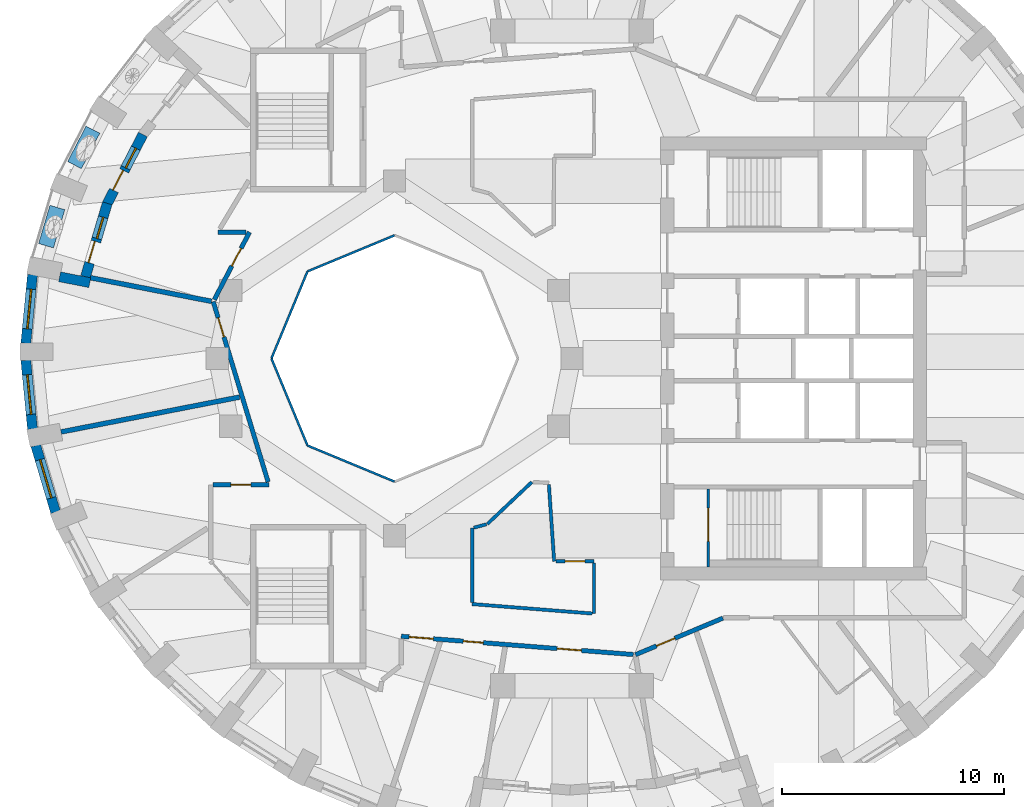
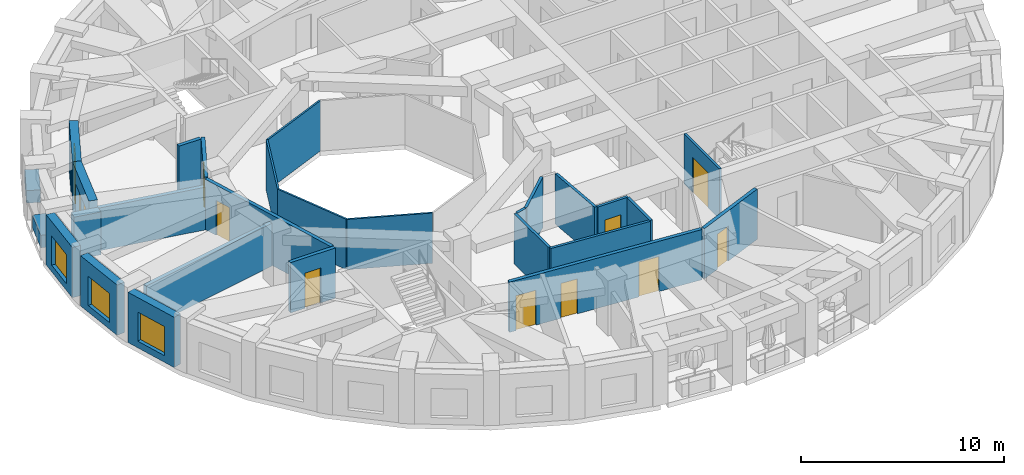
# One storey, part 4 of 12: 28 walls, 11 doors, 5 windows, 16 openings.
"""IFC4 building model written with IfcOpenShell, lengths in metres."""

from ifc_helpers import new_model, si_unit, direction, frame, frame_2d, origin, place, context, subcontext, project, spatial, rectangle, extrude, material, layer, layer_set, constituent, constituent_set, type_object, element, fill, save


model = new_model("IFC4")

# Units and contexts
model_context = context("Model", 3, precision=1e-05, world=origin(), true_north=direction((0.0, 1.0)))
body_context = subcontext(model_context, "Body", "Model", "MODEL_VIEW")
ifc_project = project(units=[si_unit("LENGTHUNIT", "METRE"), si_unit("AREAUNIT", "SQUARE_METRE"), si_unit("VOLUMEUNIT", "CUBIC_METRE"), si_unit("PLANEANGLEUNIT", "RADIAN"), si_unit("MASSUNIT", "GRAM", prefix="KILO")], contexts=[model_context])

# Site, building, storey
site_placement = place(None, origin())
site = spatial("IfcSite", under=ifc_project, at=site_placement, CompositionType="ELEMENT")
building_placement = place(site_placement, origin())
building = spatial("IfcBuilding", under=site, at=building_placement, Name="Taillehof Tower", CompositionType="ELEMENT")
storey_placement = place(building_placement, frame((0.0, 0.0, 249.800048828125)))
storey = spatial("IfcBuildingStorey", under=building, at=storey_placement, Name="L71", CompositionType="ELEMENT", Elevation=249.800048828125)

# Walls
ifc_material_1 = material(Name="Fire-resisting glass in steel frame", Category="steel")
ifc_layer_1 = layer(ifc_material_1, 0.10009765625)
ifc_layer_set_1 = layer_set([ifc_layer_1], Name="Atrium fire-resisting screen EI 60 100")
wall_type_1 = type_object("IfcWallType", Name="Atrium fire-resisting screen EI 60 100", PredefinedType="PARTITIONING", material=ifc_layer_set_1)
for number, where, z_axis, x_axis, name in (
    (1, (-8.0, -5.55419921875, 0.0), (0.0, 0.0, 1.0), (-0.923860025149, 0.382730523909, 0.0), "Atrium screen"),
    (2, (-11.92724609375, -3.92724609375, 0.0), (0.0, 0.0, 1.0), (-0.382730523909, 0.923860025149, 0.0), "Atrium screen"),
    (3, (-13.55419921875, 0.0, 0.0), (0.0, 0.0, 1.0), (0.382730523909, 0.923860025149, 0.0), "Atrium screen"),
    (4, (-11.92724609375, 3.92724609375, 0.0), (0.0, 0.0, 1.0), (0.923860025149, 0.382730523909, 0.0), "Atrium screen"),
):
    element("IfcWall", number, at=place(storey_placement, frame(where, z_axis=z_axis, x_axis=x_axis)), inside=storey, type_object=wall_type_1, Name=name, PredefinedType="PARTITIONING", context=body_context, shape_type="SweptSolid", body=[
        extrude(rectangle(XDim=4.2509765625, YDim=0.10009765625, at=frame_2d((2.12548828125, 0.0))), origin(), (0.0, 0.0, 1.0), 3.02001953125),
    ])

# Wall, opening, window
ifc_material_2 = material(Name="Brick masonry", Category="masonry")
ifc_layer_2 = layer(ifc_material_2, 0.449951171875)
ifc_layer_set_2 = layer_set([ifc_layer_2], Name="Brick infill wall 450")
wall_type_2 = type_object("IfcWallType", Name="Brick infill wall 450", PredefinedType="SOLIDWALL", material=ifc_layer_set_2)
wall_1_placement = place(storey_placement, frame((-24.335693359375, 3.77978515625, 0.0), z_axis=(0.0, 0.0, 1.0), x_axis=(-0.096740086873, -0.995309678237, 0.0)))
wall_1 = element("IfcWall", 5, at=wall_1_placement, inside=storey, type_object=wall_type_2, Name="Brick wall L71 bay 18", PredefinedType="SOLIDWALL", context=body_context, shape_type="SweptSolid", body=[
    extrude(rectangle(XDim=3.1142578125, YDim=0.449951171875, at=frame_2d((1.55712890625, 0.0))), origin(), (0.0, 0.0, 1.0), 3.02001953125),
])
opening_1_placement = place(wall_1_placement, frame((0.6572265625, 0.0, 0.39990234375)))
opening_1 = element("IfcOpeningElement", 6, at=opening_1_placement, cuts=wall_1, Name="Opening W4", PredefinedType="OPENING", context=body_context, shape_type="SweptSolid", body=[
    extrude(rectangle(XDim=1.800048828125, YDim=1.75, at=frame_2d((0.89990234375, 0.875))), frame((0.0, 0.23486328125, 0.0), z_axis=(0.0, -1.0, 0.0), x_axis=(1.0, 0.0, 0.0)), (0.0, 0.0, 1.0), 0.469970703125),
])
ifc_material_3 = material(Name="Aluminium window frame with clear double glazing", Category="aluminium")
window_type_1 = type_object("IfcWindowType", Name="Deep-set window 1800x1750", PartitioningType="SINGLE_PANEL", PredefinedType="WINDOW", material=ifc_material_3)
window_1_placement = place(opening_1_placement, origin())
window_1 = element("IfcWindow", 7, at=window_1_placement, inside=storey, type_object=window_type_1, Name="W4", OverallHeight=1.75, OverallWidth=1.800048828125, PartitioningType="SINGLE_PANEL", PredefinedType="WINDOW", context=body_context, shape_type="SweptSolid", body=[
    extrude(rectangle(XDim=1.800048828125, YDim=1.75, at=frame_2d((0.89990234375, 0.875))), frame((0.0, 0.034912109375, 0.0), z_axis=(0.0, -1.0, 0.0), x_axis=(1.0, 0.0, 0.0)), (0.0, 0.0, 1.0), 0.06005859375),
])
fill(opening_1, window_1)

wall_2_placement = place(storey_placement, frame((-24.636962890625, -0.080078125, 0.0), z_axis=(0.0, 0.0, 1.0), x_axis=(0.09673253904, -0.995310411827, 0.0)))
wall_2 = element("IfcWall", 8, at=wall_2_placement, inside=storey, type_object=wall_type_2, Name="Brick wall L71 bay 19", PredefinedType="SOLIDWALL", context=body_context, shape_type="SweptSolid", body=[
    extrude(rectangle(XDim=3.114501953125, YDim=0.449951171875, at=frame_2d((1.55712890625, 0.0))), origin(), (0.0, 0.0, 1.0), 3.02001953125),
])
opening_2_placement = place(wall_2_placement, frame((0.6572265625, 0.0, 0.39990234375)))
opening_2 = element("IfcOpeningElement", 9, at=opening_2_placement, cuts=wall_2, Name="Opening W4", PredefinedType="OPENING", context=body_context, shape_type="SweptSolid", body=[
    extrude(rectangle(XDim=1.800048828125, YDim=1.75, at=frame_2d((0.89990234375, 0.875))), frame((0.0, 0.23486328125, 0.0), z_axis=(0.0, -1.0, 0.0), x_axis=(1.0, 0.0, 0.0)), (0.0, 0.0, 1.0), 0.469970703125),
])
window_2_placement = place(opening_2_placement, origin())
window_2 = element("IfcWindow", 10, at=window_2_placement, inside=storey, type_object=window_type_1, Name="W4", OverallHeight=1.75, OverallWidth=1.800048828125, PartitioningType="SINGLE_PANEL", PredefinedType="WINDOW", context=body_context, shape_type="SweptSolid", body=[
    extrude(rectangle(XDim=1.800048828125, YDim=1.75, at=frame_2d((0.89990234375, 0.875))), frame((0.0, 0.034912109375, 0.0), z_axis=(0.0, -1.0, 0.0), x_axis=(1.0, 0.0, 0.0)), (0.0, 0.0, 1.0), 0.06005859375),
])
fill(opening_2, window_2)

wall_3_placement = place(storey_placement, frame((-24.18994140625, -3.92578125, 0.0), z_axis=(0.0, 0.0, 1.0), x_axis=(0.285263800865, -0.958449040855, 0.0)))
wall_3 = element("IfcWall", 11, at=wall_3_placement, inside=storey, type_object=wall_type_2, Name="Brick wall L71 bay 20", PredefinedType="SOLIDWALL", context=body_context, shape_type="SweptSolid", body=[
    extrude(rectangle(XDim=3.13916015625, YDim=0.449951171875, at=frame_2d((1.569580078125, 0.0))), origin(), (0.0, 0.0, 1.0), 3.02001953125),
])
opening_3_placement = place(wall_3_placement, frame((0.669677734375, 0.0, 0.39990234375)))
opening_3 = element("IfcOpeningElement", 12, at=opening_3_placement, cuts=wall_3, Name="Opening W4", PredefinedType="OPENING", context=body_context, shape_type="SweptSolid", body=[
    extrude(rectangle(XDim=1.800048828125, YDim=1.75, at=frame_2d((0.89990234375, 0.875))), frame((0.0, 0.23486328125, 0.0), z_axis=(0.0, -1.0, 0.0), x_axis=(1.0, 0.0, 0.0)), (0.0, 0.0, 1.0), 0.469970703125),
])
window_3_placement = place(opening_3_placement, origin())
window_3 = element("IfcWindow", 13, at=window_3_placement, inside=storey, type_object=window_type_1, Name="W4", OverallHeight=1.75, OverallWidth=1.800048828125, PartitioningType="SINGLE_PANEL", PredefinedType="WINDOW", context=body_context, shape_type="SweptSolid", body=[
    extrude(rectangle(XDim=1.800048828125, YDim=1.75, at=frame_2d((0.89990234375, 0.875))), frame((0.0, 0.034912109375, 0.0), z_axis=(0.0, -1.0, 0.0), x_axis=(1.0, 0.0, 0.0)), (0.0, 0.0, 1.0), 0.06005859375),
])
fill(opening_3, window_3)

# Wall
wall_4_placement = place(storey_placement, frame((-23.11376953125, 3.685302734375, 0.0), z_axis=(0.0, 0.0, 1.0), x_axis=(0.981468844755, -0.191621780535, 0.0)))
element("IfcWall", 14, at=wall_4_placement, inside=storey, type_object=wall_type_2, Name="Brick reveal L71 pocket 4", PredefinedType="SOLIDWALL", context=body_context, shape_type="SweptSolid", body=[
    extrude(rectangle(XDim=1.39013671875, YDim=0.449951171875, at=frame_2d((0.695068359375, 0.0))), origin(), (0.0, 0.0, 1.0), 2.570068359375),
])

# Wall, openings, door, window
wall_5_placement = place(storey_placement, frame((-19.355224609375, 10.104248046875, 0.0), z_axis=(0.0, 0.0, 1.0), x_axis=(-0.458852093952, -0.888512665006, 0.0)))
wall_5 = element("IfcWall", 15, at=wall_5_placement, inside=storey, type_object=wall_type_2, Name="Brick wall L71 pocket bay 16", PredefinedType="SOLIDWALL", context=body_context, shape_type="SweptSolid", body=[
    extrude(rectangle(XDim=3.537841796875, YDim=0.449951171875, at=frame_2d((1.76904296875, 0.0))), origin(), (0.0, 0.0, 1.0), 3.02001953125),
])
opening_4_placement = place(wall_5_placement, frame((0.69384765625, 0.0, 0.39990234375)))
opening_4 = element("IfcOpeningElement", 16, at=opening_4_placement, cuts=wall_5, Name="Opening W5", PredefinedType="OPENING", context=body_context, shape_type="SweptSolid", body=[
    extrude(rectangle(XDim=1.0, YDim=1.75, at=frame_2d((0.5, 0.875))), frame((0.0, 0.23486328125, 0.0), z_axis=(0.0, -1.0, 0.0), x_axis=(1.0, 0.0, 0.0)), (0.0, 0.0, 1.0), 0.469970703125),
])
opening_5_placement = place(wall_5_placement, frame((1.84375, 0.0, 0.0)))
opening_5 = element("IfcOpeningElement", 17, at=opening_5_placement, cuts=wall_5, Name="Opening D7195", PredefinedType="OPENING", context=body_context, shape_type="SweptSolid", body=[
    extrude(rectangle(XDim=1.0, YDim=2.14990234375, at=frame_2d((0.5, 1.074951171875))), frame((0.0, 0.23486328125, 0.0), z_axis=(0.0, -1.0, 0.0), x_axis=(1.0, 0.0, 0.0)), (0.0, 0.0, 1.0), 0.469970703125),
])
ifc_material_4 = material(Name="Aluminium door frame with clear double glazing", Category="aluminium")
door_type_1 = type_object("IfcDoorType", Name="Balcony door 1000x2150", OperationType="SINGLE_SWING_RIGHT", PredefinedType="DOOR", material=ifc_material_4)
door_1_placement = place(opening_5_placement, frame((1.0, 0.0, 0.0), z_axis=(0.0, 0.0, 1.0), x_axis=(-1.0, 0.0, 0.0)))
door_1 = element("IfcDoor", 18, at=door_1_placement, inside=storey, type_object=door_type_1, Name="Balcony door L71 bay 16", OperationType="SINGLE_SWING_LEFT", OverallHeight=2.14990234375, OverallWidth=1.0, PredefinedType="DOOR", context=body_context, shape_type="SweptSolid", body=[
    extrude(rectangle(XDim=1.0, YDim=2.14990234375, at=frame_2d((0.5, 1.074951171875))), frame((0.0, 0.0751953125, 0.0), z_axis=(0.0, -1.0, 0.0), x_axis=(1.0, 0.0, 0.0)), (0.0, 0.0, 1.0), 0.050048828125),
])
fill(opening_5, door_1)
ifc_material_5 = material(Name="Aluminium window frame with clear double glazing", Category="aluminium")
window_type_2 = type_object("IfcWindowType", Name="Fixed window 1000x1750", PartitioningType="SINGLE_PANEL", PredefinedType="WINDOW", material=ifc_material_5)
window_4_placement = place(opening_4_placement, origin())
window_4 = element("IfcWindow", 19, at=window_4_placement, inside=storey, type_object=window_type_2, Name="W5", OverallHeight=1.75, OverallWidth=1.0, PartitioningType="SINGLE_PANEL", PredefinedType="WINDOW", context=body_context, shape_type="SweptSolid", body=[
    extrude(rectangle(XDim=1.0, YDim=1.75, at=frame_2d((0.5, 0.875))), frame((0.0, 0.034912109375, 0.0), z_axis=(0.0, -1.0, 0.0), x_axis=(1.0, 0.0, 0.0)), (0.0, 0.0, 1.0), 0.06005859375),
])
fill(opening_4, window_4)

wall_6_placement = place(storey_placement, frame((-20.962646484375, 7.000244140625, 0.0), z_axis=(0.0, 0.0, 1.0), x_axis=(-0.284437019833, -0.958694728132, 0.0)))
wall_6 = element("IfcWall", 20, at=wall_6_placement, inside=storey, type_object=wall_type_2, Name="Brick wall L71 pocket bay 17", PredefinedType="SOLIDWALL", context=body_context, shape_type="SweptSolid", body=[
    extrude(rectangle(XDim=3.45654296875, YDim=0.449951171875, at=frame_2d((1.728271484375, 0.0))), origin(), (0.0, 0.0, 1.0), 3.02001953125),
])
opening_6_placement = place(wall_6_placement, frame((0.6533203125, 0.0, 0.39990234375)))
opening_6 = element("IfcOpeningElement", 21, at=opening_6_placement, cuts=wall_6, Name="Opening W5", PredefinedType="OPENING", context=body_context, shape_type="SweptSolid", body=[
    extrude(rectangle(XDim=1.0, YDim=1.75, at=frame_2d((0.5, 0.875))), frame((0.0, 0.23486328125, 0.0), z_axis=(0.0, -1.0, 0.0), x_axis=(1.0, 0.0, 0.0)), (0.0, 0.0, 1.0), 0.469970703125),
])
opening_7_placement = place(wall_6_placement, frame((1.80322265625, 0.0, 0.0)))
opening_7 = element("IfcOpeningElement", 22, at=opening_7_placement, cuts=wall_6, Name="Opening D7196", PredefinedType="OPENING", context=body_context, shape_type="SweptSolid", body=[
    extrude(rectangle(XDim=1.0, YDim=2.14990234375, at=frame_2d((0.5, 1.074951171875))), frame((0.0, 0.23486328125, 0.0), z_axis=(0.0, -1.0, 0.0), x_axis=(1.0, 0.0, 0.0)), (0.0, 0.0, 1.0), 0.469970703125),
])
door_2_placement = place(opening_7_placement, frame((1.0, 0.0, 0.0), z_axis=(0.0, 0.0, 1.0), x_axis=(-1.0, 0.0, 0.0)))
door_2 = element("IfcDoor", 23, at=door_2_placement, inside=storey, type_object=door_type_1, Name="Balcony door L71 bay 17", OperationType="SINGLE_SWING_LEFT", OverallHeight=2.14990234375, OverallWidth=1.0, PredefinedType="DOOR", context=body_context, shape_type="SweptSolid", body=[
    extrude(rectangle(XDim=1.0, YDim=2.14990234375, at=frame_2d((0.5, 1.074951171875))), frame((0.0, 0.0751953125, 0.0), z_axis=(0.0, -1.0, 0.0), x_axis=(1.0, 0.0, 0.0)), (0.0, 0.0, 1.0), 0.050048828125),
])
fill(opening_7, door_2)
window_5_placement = place(opening_6_placement, origin())
window_5 = element("IfcWindow", 24, at=window_5_placement, inside=storey, type_object=window_type_2, Name="W5", OverallHeight=1.75, OverallWidth=1.0, PartitioningType="SINGLE_PANEL", PredefinedType="WINDOW", context=body_context, shape_type="SweptSolid", body=[
    extrude(rectangle(XDim=1.0, YDim=1.75, at=frame_2d((0.5, 0.875))), frame((0.0, 0.034912109375, 0.0), z_axis=(0.0, -1.0, 0.0), x_axis=(1.0, 0.0, 0.0)), (0.0, 0.0, 1.0), 0.06005859375),
])
fill(opening_6, window_5)

# Wall, opening, door
ifc_material_6 = material(Name="Gypsum board on steel studs, two layers each side", Category="steel")
ifc_layer_3 = layer(ifc_material_6, 0.199951171875)
ifc_layer_set_3 = layer_set([ifc_layer_3], Name="Compartment wall corridor 200")
wall_type_3 = type_object("IfcWallType", Name="Compartment wall corridor 200", PredefinedType="PARTITIONING", material=ifc_layer_set_3)
wall_7_placement = place(storey_placement, frame((6.811767578125, -11.715576171875, 0.0), z_axis=(0.0, 0.0, 1.0), x_axis=(-0.922465594323, -0.386079301817, 0.0)))
wall_7 = element("IfcWall", 25, at=wall_7_placement, inside=storey, type_object=wall_type_3, Name="Compartment wall", PredefinedType="PARTITIONING", context=body_context, shape_type="SweptSolid", body=[
    extrude(rectangle(XDim=4.2734375, YDim=0.199951171875, at=frame_2d((2.13671875, 0.0))), origin(), (0.0, 0.0, 1.0), 3.02001953125),
])
opening_8_placement = place(wall_7_placement, frame((2.3486328125, 0.0, 0.0)))
opening_8 = element("IfcOpeningElement", 26, at=opening_8_placement, cuts=wall_7, Name="Opening D7153", PredefinedType="OPENING", context=body_context, shape_type="SweptSolid", body=[
    extrude(rectangle(XDim=0.89990234375, YDim=2.10009765625, at=frame_2d((0.449951171875, 1.050048828125))), frame((0.0, 0.10986328125, 0.0), z_axis=(0.0, -1.0, 0.0), x_axis=(1.0, 0.0, 0.0)), (0.0, 0.0, 1.0), 0.219970703125),
])
ifc_material_7 = material(Name="Timber door leaf in steel frame", Category="steel")
door_type_2 = type_object("IfcDoorType", Name="Service room door EI 30 900 x 2100", OperationType="SINGLE_SWING_LEFT", PredefinedType="DOOR", material=ifc_material_7)
door_3_placement = place(opening_8_placement, origin())
door_3 = element("IfcDoor", 27, at=door_3_placement, inside=storey, type_object=door_type_2, Name="D7153", OperationType="SINGLE_SWING_RIGHT", OverallHeight=2.10009765625, OverallWidth=0.89990234375, PredefinedType="DOOR", context=body_context, shape_type="SweptSolid", body=[
    extrude(rectangle(XDim=0.89990234375, YDim=2.10009765625, at=frame_2d((0.449951171875, 1.050048828125))), frame((0.0, 0.02490234375, 0.0), z_axis=(0.0, -1.0, 0.0), x_axis=(1.0, 0.0, 0.0)), (0.0, 0.0, 1.0), 0.050048828125),
])
fill(opening_8, door_3)

# Wall, openings, doors
wall_8_placement = place(storey_placement, frame((2.76953125, -13.358154296875, 0.0), z_axis=(0.0, 0.0, 1.0), x_axis=(-0.996922723337, 0.07839058422, 0.0)))
wall_8 = element("IfcWall", 28, at=wall_8_placement, inside=storey, type_object=wall_type_3, Name="Compartment wall", PredefinedType="PARTITIONING", context=body_context, shape_type="SweptSolid", body=[
    extrude(rectangle(XDim=10.501708984375, YDim=0.199951171875, at=frame_2d((5.2509765625, 0.0))), origin(), (0.0, 0.0, 1.0), 3.02001953125),
])
opening_9_placement = place(wall_8_placement, frame((9.045654296875, 0.0, 0.0)))
opening_9 = element("IfcOpeningElement", 29, at=opening_9_placement, cuts=wall_8, Name="Opening D7150", PredefinedType="OPENING", context=body_context, shape_type="SweptSolid", body=[
    extrude(rectangle(XDim=1.10009765625, YDim=2.10009765625, at=frame_2d((0.550048828125, 1.050048828125))), frame((0.0, 0.10986328125, 0.0), z_axis=(0.0, -1.0, 0.0), x_axis=(1.0, 0.0, 0.0)), (0.0, 0.0, 1.0), 0.219970703125),
])
opening_10_placement = place(wall_8_placement, frame((6.791748046875, 0.0, 0.0)))
opening_10 = element("IfcOpeningElement", 30, at=opening_10_placement, cuts=wall_8, Name="Opening D7151", PredefinedType="OPENING", context=body_context, shape_type="SweptSolid", body=[
    extrude(rectangle(XDim=0.89990234375, YDim=2.10009765625, at=frame_2d((0.449951171875, 1.050048828125))), frame((0.0, 0.10986328125, 0.0), z_axis=(0.0, -1.0, 0.0), x_axis=(1.0, 0.0, 0.0)), (0.0, 0.0, 1.0), 0.219970703125),
])
opening_11_placement = place(wall_8_placement, frame((2.3466796875, 0.0, 0.0)))
opening_11 = element("IfcOpeningElement", 31, at=opening_11_placement, cuts=wall_8, Name="Opening D7152", PredefinedType="OPENING", context=body_context, shape_type="SweptSolid", body=[
    extrude(rectangle(XDim=1.10009765625, YDim=2.10009765625, at=frame_2d((0.550048828125, 1.050048828125))), frame((0.0, 0.10986328125, 0.0), z_axis=(0.0, -1.0, 0.0), x_axis=(1.0, 0.0, 0.0)), (0.0, 0.0, 1.0), 0.219970703125),
])
door_4_placement = place(opening_10_placement, origin())
door_4 = element("IfcDoor", 32, at=door_4_placement, inside=storey, type_object=door_type_2, Name="D7151", OperationType="SINGLE_SWING_RIGHT", OverallHeight=2.10009765625, OverallWidth=0.89990234375, PredefinedType="DOOR", context=body_context, shape_type="SweptSolid", body=[
    extrude(rectangle(XDim=0.89990234375, YDim=2.10009765625, at=frame_2d((0.449951171875, 1.050048828125))), frame((0.0, 0.02490234375, 0.0), z_axis=(0.0, -1.0, 0.0), x_axis=(1.0, 0.0, 0.0)), (0.0, 0.0, 1.0), 0.050048828125),
])
fill(opening_10, door_4)
ifc_material_8 = material(Name="Timber door leaf in steel frame", Category="steel")
door_type_3 = type_object("IfcDoorType", Name="Suite entrance door EI 30 1100 x 2100", OperationType="SINGLE_SWING_LEFT", PredefinedType="DOOR", material=ifc_material_8)
door_5_placement = place(opening_9_placement, origin())
door_5 = element("IfcDoor", 33, at=door_5_placement, inside=storey, type_object=door_type_3, Name="D7150", OperationType="SINGLE_SWING_LEFT", OverallHeight=2.10009765625, OverallWidth=1.10009765625, PredefinedType="DOOR", context=body_context, shape_type="SweptSolid", body=[
    extrude(rectangle(XDim=1.10009765625, YDim=2.10009765625, at=frame_2d((0.550048828125, 1.050048828125))), frame((0.0, 0.02490234375, 0.0), z_axis=(0.0, -1.0, 0.0), x_axis=(1.0, 0.0, 0.0)), (0.0, 0.0, 1.0), 0.050048828125),
])
fill(opening_9, door_5)
door_6_placement = place(opening_11_placement, origin())
door_6 = element("IfcDoor", 34, at=door_6_placement, inside=storey, type_object=door_type_3, Name="D7152", OperationType="SINGLE_SWING_RIGHT", OverallHeight=2.10009765625, OverallWidth=1.10009765625, PredefinedType="DOOR", context=body_context, shape_type="SweptSolid", body=[
    extrude(rectangle(XDim=1.10009765625, YDim=2.10009765625, at=frame_2d((0.550048828125, 1.050048828125))), frame((0.0, 0.02490234375, 0.0), z_axis=(0.0, -1.0, 0.0), x_axis=(1.0, 0.0, 0.0)), (0.0, 0.0, 1.0), 0.050048828125),
])
fill(opening_11, door_6)

# Wall, opening, door
wall_9_placement = place(storey_placement, frame((-16.199951171875, -5.699951171875, 0.0), z_axis=(0.0, 0.0, 1.0), x_axis=(1.0, 0.0, 0.0)))
wall_9 = element("IfcWall", 35, at=wall_9_placement, inside=storey, type_object=wall_type_3, Name="Compartment wall", PredefinedType="PARTITIONING", context=body_context, shape_type="SweptSolid", body=[
    extrude(rectangle(XDim=2.533935546875, YDim=0.199951171875, at=frame_2d((1.26708984375, 0.0))), origin(), (0.0, 0.0, 1.0), 3.02001953125),
])
opening_12_placement = place(wall_9_placement, frame((0.81689453125, 0.0, 0.0)))
opening_12 = element("IfcOpeningElement", 36, at=opening_12_placement, cuts=wall_9, Name="Opening D7148", PredefinedType="OPENING", context=body_context, shape_type="SweptSolid", body=[
    extrude(rectangle(XDim=0.89990234375, YDim=2.10009765625, at=frame_2d((0.449951171875, 1.050048828125))), frame((0.0, 0.10986328125, 0.0), z_axis=(0.0, -1.0, 0.0), x_axis=(1.0, 0.0, 0.0)), (0.0, 0.0, 1.0), 0.219970703125),
])
door_7_placement = place(opening_12_placement, origin())
door_7 = element("IfcDoor", 37, at=door_7_placement, inside=storey, type_object=door_type_2, Name="D7148", OperationType="SINGLE_SWING_RIGHT", OverallHeight=2.10009765625, OverallWidth=0.89990234375, PredefinedType="DOOR", context=body_context, shape_type="SweptSolid", body=[
    extrude(rectangle(XDim=0.89990234375, YDim=2.10009765625, at=frame_2d((0.449951171875, 1.050048828125))), frame((0.0, 0.02490234375, 0.0), z_axis=(0.0, -1.0, 0.0), x_axis=(1.0, 0.0, 0.0)), (0.0, 0.0, 1.0), 0.050048828125),
])
fill(opening_12, door_7)

wall_10_placement = place(storey_placement, frame((-13.70703125, -5.566650390625, 0.0), z_axis=(0.0, 0.0, 1.0), x_axis=(-0.29116047228, 0.956674228451, 0.0)))
wall_10 = element("IfcWall", 38, at=wall_10_placement, inside=storey, type_object=wall_type_3, Name="Compartment wall", PredefinedType="PARTITIONING", context=body_context, shape_type="SweptSolid", body=[
    extrude(rectangle(XDim=8.495849609375, YDim=0.199951171875, at=frame_2d((4.248046875, 0.0))), origin(), (0.0, 0.0, 1.0), 3.02001953125),
])
opening_13_placement = place(wall_10_placement, frame((6.8359375, 0.0, 0.0)))
opening_13 = element("IfcOpeningElement", 39, at=opening_13_placement, cuts=wall_10, Name="Opening D7147", PredefinedType="OPENING", context=body_context, shape_type="SweptSolid", body=[
    extrude(rectangle(XDim=0.89990234375, YDim=2.10009765625, at=frame_2d((0.449951171875, 1.050048828125))), frame((0.0, 0.10986328125, 0.0), z_axis=(0.0, -1.0, 0.0), x_axis=(1.0, 0.0, 0.0)), (0.0, 0.0, 1.0), 0.219970703125),
])
door_8_placement = place(opening_13_placement, origin())
door_8 = element("IfcDoor", 40, at=door_8_placement, inside=storey, type_object=door_type_2, Name="D7147", OperationType="SINGLE_SWING_RIGHT", OverallHeight=2.10009765625, OverallWidth=0.89990234375, PredefinedType="DOOR", context=body_context, shape_type="SweptSolid", body=[
    extrude(rectangle(XDim=0.89990234375, YDim=2.10009765625, at=frame_2d((0.449951171875, 1.050048828125))), frame((0.0, 0.02490234375, 0.0), z_axis=(0.0, -1.0, 0.0), x_axis=(1.0, 0.0, 0.0)), (0.0, 0.0, 1.0), 0.050048828125),
])
fill(opening_13, door_8)

wall_11_placement = place(storey_placement, frame((-16.13427734375, 2.650146484375, 0.0), z_axis=(0.0, 0.0, 1.0), x_axis=(0.462143812638, 0.886804993468, 0.0)))
wall_11 = element("IfcWall", 41, at=wall_11_placement, inside=storey, type_object=wall_type_3, Name="Compartment wall", PredefinedType="PARTITIONING", context=body_context, shape_type="SweptSolid", body=[
    extrude(rectangle(XDim=3.439208984375, YDim=0.199951171875, at=frame_2d((1.7197265625, 0.0))), origin(), (0.0, 0.0, 1.0), 3.02001953125),
])
opening_14_placement = place(wall_11_placement, frame((1.7158203125, 0.0, 0.0)))
opening_14 = element("IfcOpeningElement", 42, at=opening_14_placement, cuts=wall_11, Name="Opening D7146", PredefinedType="OPENING", context=body_context, shape_type="SweptSolid", body=[
    extrude(rectangle(XDim=0.89990234375, YDim=2.10009765625, at=frame_2d((0.449951171875, 1.050048828125))), frame((0.0, 0.10986328125, 0.0), z_axis=(0.0, -1.0, 0.0), x_axis=(1.0, 0.0, 0.0)), (0.0, 0.0, 1.0), 0.219970703125),
])
door_9_placement = place(opening_14_placement, origin())
door_9 = element("IfcDoor", 43, at=door_9_placement, inside=storey, type_object=door_type_2, Name="D7146", OperationType="SINGLE_SWING_RIGHT", OverallHeight=2.10009765625, OverallWidth=0.89990234375, PredefinedType="DOOR", context=body_context, shape_type="SweptSolid", body=[
    extrude(rectangle(XDim=0.89990234375, YDim=2.10009765625, at=frame_2d((0.449951171875, 1.050048828125))), frame((0.0, 0.02490234375, 0.0), z_axis=(0.0, -1.0, 0.0), x_axis=(1.0, 0.0, 0.0)), (0.0, 0.0, 1.0), 0.050048828125),
])
fill(opening_14, door_9)

# Walls
wall_12_placement = place(storey_placement, frame((-14.705078125, 5.699951171875, 0.0), z_axis=(0.0, 0.0, 1.0), x_axis=(-1.0, 0.0, 0.0)))
element("IfcWall", 44, at=wall_12_placement, inside=storey, type_object=wall_type_3, Name="Compartment wall", PredefinedType="PARTITIONING", context=body_context, shape_type="SweptSolid", body=[
    extrude(rectangle(XDim=1.26904296875, YDim=0.199951171875, at=frame_2d((0.634521484375, 0.0))), origin(), (0.0, 0.0, 1.0), 3.02001953125),
])
ifc_material_9 = material(Name="Gypsum board on double steel studs with mineral wool", Category="steel")
ifc_layer_4 = layer(ifc_material_9, 0.219970703125)
ifc_layer_set_4 = layer_set([ifc_layer_4], Name="Compartment wall guest room 220")
wall_type_4 = type_object("IfcWallType", Name="Compartment wall guest room 220", PredefinedType="PARTITIONING", material=ifc_layer_set_4)
wall_13_placement = place(storey_placement, frame((-21.72412109375, 3.643310546875, 0.0), z_axis=(0.0, 0.0, 1.0), x_axis=(0.981482350032, -0.191552594804, 0.0)))
element("IfcWall", 45, at=wall_13_placement, inside=storey, type_object=wall_type_4, Name="Compartment wall", PredefinedType="PARTITIONING", context=body_context, shape_type="SweptSolid", body=[
    extrude(rectangle(XDim=5.568359375, YDim=0.219970703125, at=frame_2d((2.7841796875, 0.0))), origin(), (0.0, 0.0, 1.0), 2.570068359375),
])
wall_14_placement = place(storey_placement, frame((-23.048583984375, -3.315673828125, 0.0), z_axis=(0.0, 0.0, 1.0), x_axis=(0.981479950205, 0.19156489069, 0.0)))
element("IfcWall", 46, at=wall_14_placement, inside=storey, type_object=wall_type_4, Name="Compartment wall", PredefinedType="PARTITIONING", context=body_context, shape_type="SweptSolid", body=[
    extrude(rectangle(XDim=8.204833984375, YDim=0.219970703125, at=frame_2d((4.1025390625, 0.0))), origin(), (0.0, 0.0, 1.0), 2.570068359375),
])
ifc_material_10 = material(Name="Gypsum board on steel studs, two layers each side", Category="steel")
ifc_layer_5 = layer(ifc_material_10, 0.14990234375)
ifc_layer_set_5 = layer_set([ifc_layer_5], Name="Compartment wall service room 150")
wall_type_5 = type_object("IfcWallType", Name="Compartment wall service room 150", PredefinedType="PARTITIONING", material=ifc_layer_set_5)
wall_15_placement = place(storey_placement, frame((-3.817138671875, -7.471923828125, 0.0), z_axis=(0.0, 0.0, 1.0), x_axis=(0.727554143834, 0.686050266227, 0.0)))
element("IfcWall", 47, at=wall_15_placement, inside=storey, type_object=wall_type_5, Name="Compartment wall", PredefinedType="PARTITIONING", context=body_context, shape_type="SweptSolid", body=[
    extrude(rectangle(XDim=2.7646484375, YDim=0.14990234375, at=frame_2d((1.38232421875, 0.0))), origin(), (0.0, 0.0, 1.0), 3.02001953125),
])
wall_16_placement = place(storey_placement, frame((-1.0380859375, -5.692626953125, 0.0), z_axis=(0.0, 0.0, 1.0), x_axis=(0.068688454557, -0.997638158959, 0.0)))
element("IfcWall", 48, at=wall_16_placement, inside=storey, type_object=wall_type_5, Name="Compartment wall", PredefinedType="PARTITIONING", context=body_context, shape_type="SweptSolid", body=[
    extrude(rectangle(XDim=3.465576171875, YDim=0.14990234375, at=frame_2d((1.73291015625, 0.0))), origin(), (0.0, 0.0, 1.0), 3.02001953125),
])

# Wall, opening, door
wall_17_placement = place(storey_placement, frame((-0.719970703125, -9.14990234375, 0.0), z_axis=(0.0, 0.0, 1.0), x_axis=(1.0, 0.0, 0.0)))
wall_17 = element("IfcWall", 49, at=wall_17_placement, inside=storey, type_object=wall_type_5, Name="Compartment wall", PredefinedType="PARTITIONING", context=body_context, shape_type="SweptSolid", body=[
    extrude(rectangle(XDim=1.719970703125, YDim=0.14990234375, at=frame_2d((0.85986328125, 0.0))), origin(), (0.0, 0.0, 1.0), 3.02001953125),
])
opening_15_placement = place(wall_17_placement, frame((0.409912109375, 0.0, 0.0)))
opening_15 = element("IfcOpeningElement", 50, at=opening_15_placement, cuts=wall_17, Name="Opening D7160", PredefinedType="OPENING", context=body_context, shape_type="SweptSolid", body=[
    extrude(rectangle(XDim=0.89990234375, YDim=2.10009765625, at=frame_2d((0.449951171875, 1.050048828125))), frame((0.0, 0.0849609375, 0.0), z_axis=(0.0, -1.0, 0.0), x_axis=(1.0, 0.0, 0.0)), (0.0, 0.0, 1.0), 0.169921875),
])
door_10_placement = place(opening_15_placement, origin())
door_10 = element("IfcDoor", 51, at=door_10_placement, inside=storey, type_object=door_type_2, Name="D7160", OperationType="SINGLE_SWING_LEFT", OverallHeight=2.10009765625, OverallWidth=0.89990234375, PredefinedType="DOOR", context=body_context, shape_type="SweptSolid", body=[
    extrude(rectangle(XDim=0.89990234375, YDim=2.10009765625, at=frame_2d((0.449951171875, 1.050048828125))), frame((0.0, 0.02490234375, 0.0), z_axis=(0.0, -1.0, 0.0), x_axis=(1.0, 0.0, 0.0)), (0.0, 0.0, 1.0), 0.050048828125),
])
fill(opening_15, door_10)

# Walls
wall_18_placement = place(storey_placement, frame((1.0, -9.22998046875, 0.0), z_axis=(0.0, 0.0, 1.0), x_axis=(0.0, -1.0, 0.0)))
element("IfcWall", 52, at=wall_18_placement, inside=storey, type_object=wall_type_5, Name="Compartment wall", PredefinedType="PARTITIONING", context=body_context, shape_type="SweptSolid", body=[
    extrude(rectangle(XDim=2.283447265625, YDim=0.14990234375, at=frame_2d((1.1416015625, 0.0))), origin(), (0.0, 0.0, 1.0), 3.02001953125),
])
wall_19_placement = place(storey_placement, frame((0.919921875, -11.507568359375, 0.0), z_axis=(0.0, 0.0, 1.0), x_axis=(-0.996921469635, 0.078406526396, 0.0)))
element("IfcWall", 53, at=wall_19_placement, inside=storey, type_object=wall_type_5, Name="Compartment wall", PredefinedType="PARTITIONING", context=body_context, shape_type="SweptSolid", body=[
    extrude(rectangle(XDim=5.436767578125, YDim=0.14990234375, at=frame_2d((2.71826171875, 0.0))), origin(), (0.0, 0.0, 1.0), 3.02001953125),
])
wall_20_placement = place(storey_placement, frame((-4.5, -11.001220703125, 0.0), z_axis=(0.0, 0.0, 1.0), x_axis=(0.0, 1.0, 0.0)))
element("IfcWall", 54, at=wall_20_placement, inside=storey, type_object=wall_type_5, Name="Compartment wall", PredefinedType="PARTITIONING", context=body_context, shape_type="SweptSolid", body=[
    extrude(rectangle(XDim=3.34619140625, YDim=0.14990234375, at=frame_2d((1.673095703125, 0.0))), origin(), (0.0, 0.0, 1.0), 3.02001953125),
])
wall_21_placement = place(storey_placement, frame((-4.4228515625, -7.634521484375, 0.0), z_axis=(0.0, 0.0, 1.0), x_axis=(0.965764120494, 0.259421786994, 0.0)))
element("IfcWall", 55, at=wall_21_placement, inside=storey, type_object=wall_type_5, Name="Compartment wall", PredefinedType="PARTITIONING", context=body_context, shape_type="SweptSolid", body=[
    extrude(rectangle(XDim=0.587158203125, YDim=0.14990234375, at=frame_2d((0.29345703125, 0.0))), origin(), (0.0, 0.0, 1.0), 3.02001953125),
])
ifc_material_11 = material(Name="Concrete C30/37 precast", Category="concrete")
ifc_constituent_1 = constituent(ifc_material_11, Name="Structure", Category="concrete")
ifc_material_12 = material(Name="Insulated lining")
ifc_constituent_2 = constituent(ifc_material_12, Name="Lining")
ifc_constituent_set = constituent_set(constituents=[ifc_constituent_1, ifc_constituent_2], Name="Planter trough 700x750")
wall_type_6 = type_object("IfcWallType", Name="Planter trough 700x750", PredefinedType="USERDEFINED", material=ifc_constituent_set)
wall_22_placement = place(storey_placement, frame((-21.610595703125, 10.32177734375, 0.0), z_axis=(0.0, 0.0, 1.0), x_axis=(-0.459917269392, -0.887961770188, 0.0)))
element("IfcWall", 56, at=wall_22_placement, inside=storey, type_object=wall_type_6, Name="Planter L71 bay 16", ObjectType="PLANTER", PredefinedType="USERDEFINED", context=body_context, shape_type="SweptSolid", body=[
    extrude(rectangle(XDim=1.800048828125, YDim=0.699951171875, at=frame_2d((0.89990234375, 0.0))), origin(), (0.0, 0.0, 1.0), 0.75),
])
wall_23_placement = place(storey_placement, frame((-23.21240234375, 6.811279296875, 0.0), z_axis=(0.0, 0.0, 1.0), x_axis=(-0.28525656157, -0.958451195461, 0.0)))
element("IfcWall", 57, at=wall_23_placement, inside=storey, type_object=wall_type_6, Name="Planter L71 bay 17", ObjectType="PLANTER", PredefinedType="USERDEFINED", context=body_context, shape_type="SweptSolid", body=[
    extrude(rectangle(XDim=1.7998046875, YDim=0.699951171875, at=frame_2d((0.89990234375, 0.0))), origin(), (0.0, 0.0, 1.0), 0.75),
])

# Wall, opening, door
ifc_material_13 = material(Name="Concrete C50/60", Category="concrete")
ifc_layer_6 = layer(ifc_material_13, 0.1201171875)
ifc_layer_set_6 = layer_set([ifc_layer_6], Name="Stair lobby wall C50/60 120")
wall_type_7 = type_object("IfcWallType", Name="Stair lobby wall C50/60 120", PredefinedType="SHEAR", material=ifc_layer_set_6)
wall_24_placement = place(storey_placement, frame((6.159912109375, -9.39990234375, 0.0), z_axis=(0.0, 0.0, 1.0), x_axis=(0.0, 1.0, 0.0)))
wall_24 = element("IfcWall", 58, at=wall_24_placement, inside=storey, type_object=wall_type_7, Name="Compartment wall SW", PredefinedType="SHEAR", context=body_context, shape_type="SweptSolid", body=[
    extrude(rectangle(XDim=3.5, YDim=0.1201171875, at=frame_2d((1.75, 0.0))), origin(), (0.0, 0.0, 1.0), 3.02001953125),
])
opening_16_placement = place(wall_24_placement, frame((1.14990234375, 0.0, 0.0)))
opening_16 = element("IfcOpeningElement", 59, at=opening_16_placement, cuts=wall_24, Name="Opening D7111", PredefinedType="OPENING", context=body_context, shape_type="SweptSolid", body=[
    extrude(rectangle(XDim=1.5, YDim=2.10009765625, at=frame_2d((0.75, 1.050048828125))), frame((0.0, 0.070068359375, 0.0), z_axis=(0.0, -1.0, 0.0), x_axis=(1.0, 0.0, 0.0)), (0.0, 0.0, 1.0), 0.14013671875),
])
ifc_material_14 = material(Name="Steel-faced fire door", Category="steel")
door_type_4 = type_object("IfcDoorType", Name="Stair door 1500x2100", OperationType="DOUBLE_DOOR_SINGLE_SWING", PredefinedType="DOOR", material=ifc_material_14)
door_11_placement = place(opening_16_placement, origin())
door_11 = element("IfcDoor", 60, at=door_11_placement, inside=storey, type_object=door_type_4, Name="Stair lobby door S2", OperationType="DOUBLE_DOOR_SINGLE_SWING", OverallHeight=2.10009765625, OverallWidth=1.5, PredefinedType="DOOR", context=body_context, shape_type="SweptSolid", body=[
    extrude(rectangle(XDim=1.5, YDim=2.10009765625, at=frame_2d((0.75, 1.050048828125))), frame((0.0, 0.02490234375, 0.0), z_axis=(0.0, -1.0, 0.0), x_axis=(1.0, 0.0, 0.0)), (0.0, 0.0, 1.0), 0.050048828125),
])
fill(opening_16, door_11)

save(model, "model.ifc")
